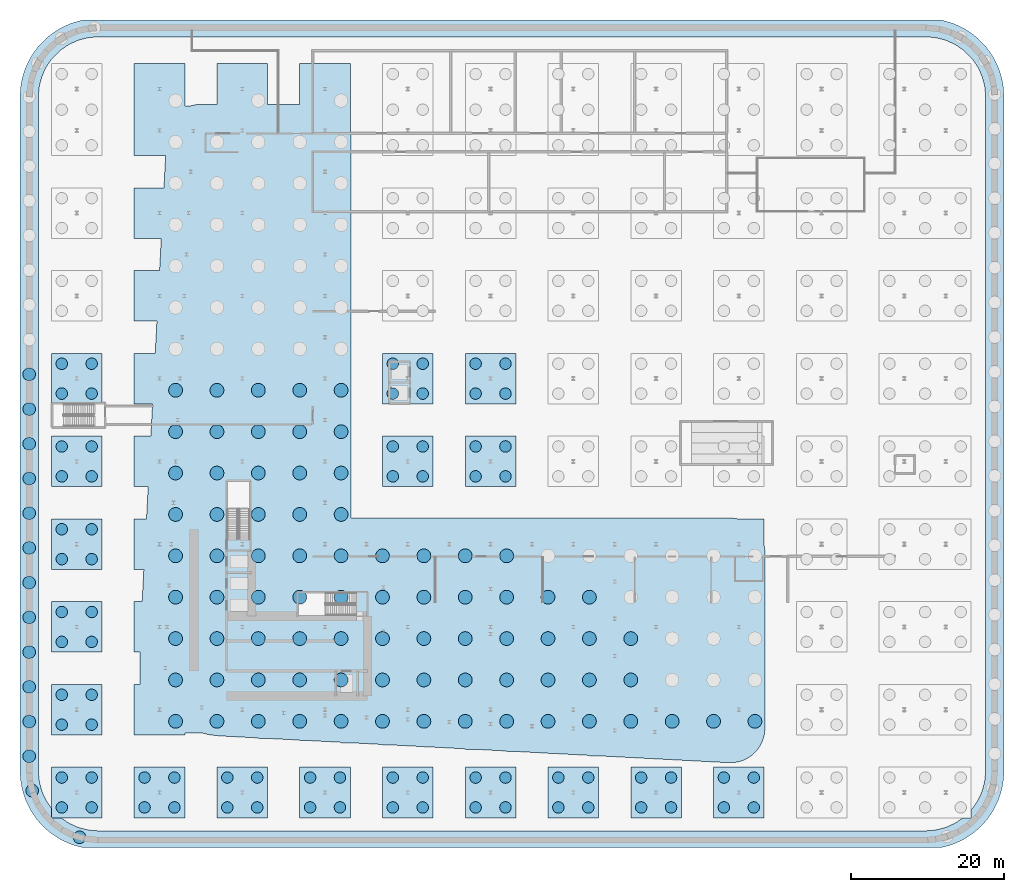
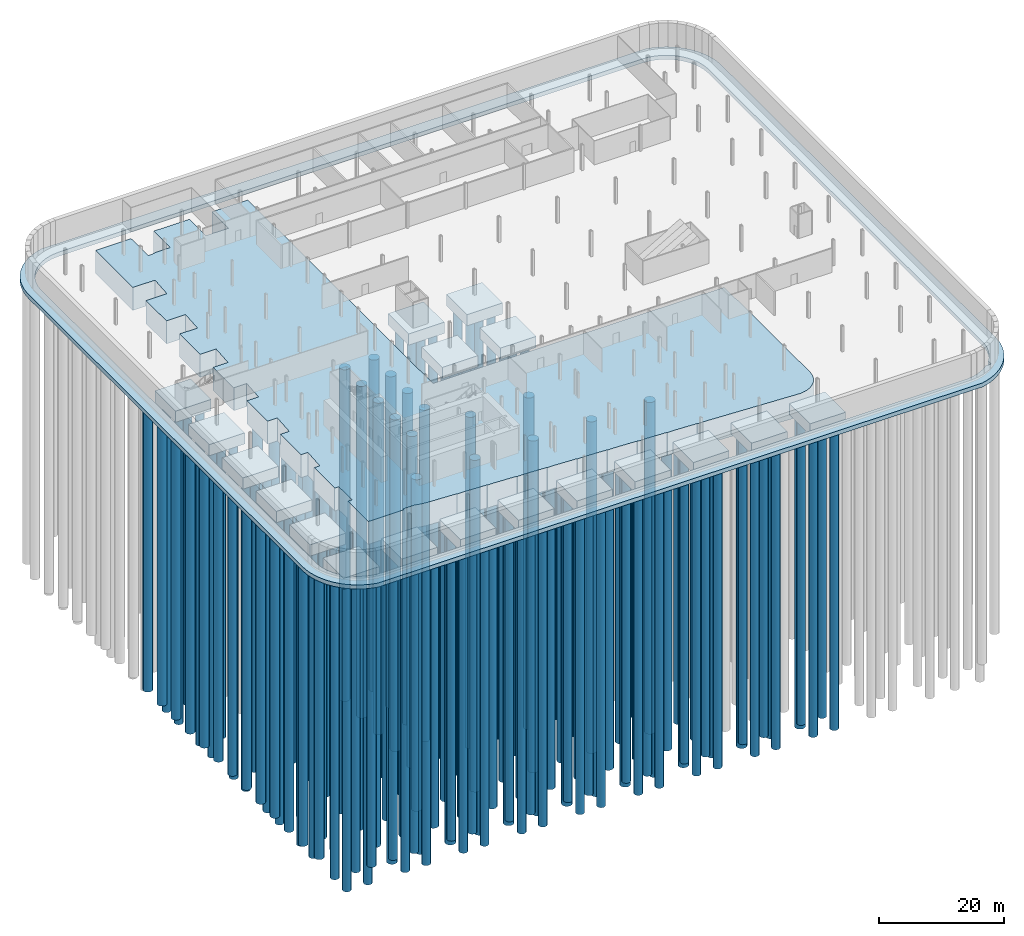
# One storey, part 1 of 23: 165 piles, 20 footings.
"""IFC4 building model written with IfcOpenShell, lengths in metres."""

from ifc_helpers import new_model, si_unit, direction, frame, origin, origin_2d, place, context, subcontext, project, spatial, polyline, rectangle, circle, outline, extrude, material, layer, layer_set, material_profile, profile_set, type_object, element, save


model = new_model("IFC4")

# Units and contexts
model_context = context("Model", 3, precision=1e-05, world=origin(), true_north=direction((0.0, 1.0)))
body_context = subcontext(model_context, "Body", "Model", "MODEL_VIEW")
ifc_project = project(units=[si_unit("LENGTHUNIT", "METRE"), si_unit("AREAUNIT", "SQUARE_METRE"), si_unit("VOLUMEUNIT", "CUBIC_METRE"), si_unit("PLANEANGLEUNIT", "RADIAN"), si_unit("MASSUNIT", "GRAM", prefix="KILO")], contexts=[model_context])

# Site, building, storey
site_placement = place(None, origin())
site = spatial("IfcSite", under=ifc_project, at=site_placement, CompositionType="ELEMENT")
building_placement = place(site_placement, origin())
building = spatial("IfcBuilding", under=site, at=building_placement, Name="Kheshtan School and Residences Tower", CompositionType="ELEMENT")
storey_placement = place(building_placement, frame((0.0, 0.0, -15.0)))
storey = spatial("IfcBuildingStorey", under=building, at=storey_placement, Name="B3", CompositionType="ELEMENT", Elevation=-15.0)

# Piles
ifc_material_1 = material(Name="Concrete C50/60", Category="concrete")
ifc_material_profile_1 = material_profile(ifc_material_1, circle(Radius=0.75, at=origin_2d()), Name="BP 1500")
ifc_profile_set_1 = profile_set([ifc_material_profile_1], Name="Concrete C50/60")
pile_type_1 = type_object("IfcPileType", Name="Bored pile 1500 Concrete C50/60", PredefinedType="BORED", material=ifc_profile_set_1)
for number, where, z_axis, x_axis, name in (
    (1, (56.449951171875, 11.25, -3.0), (0.0, 0.0, -1.0), (1.0, 0.0, 0.0), "Cap pile C001-1"),
    (2, (60.35009765625, 11.25, -3.0), (0.0, 0.0, -1.0), (1.0, 0.0, 0.0), "Cap pile C001-2"),
    (3, (56.449951171875, 15.14990234375, -3.0), (0.0, 0.0, -1.0), (1.0, 0.0, 0.0), "Cap pile C001-3"),
    (4, (60.35009765625, 15.14990234375, -3.0), (0.0, 0.0, -1.0), (1.0, 0.0, 0.0), "Cap pile C001-4"),
    (5, (45.64990234375, 11.25, -3.0), (0.0, 0.0, -1.0), (1.0, 0.0, 0.0), "Cap pile C002-1"),
    (6, (49.550048828125, 11.25, -3.0), (0.0, 0.0, -1.0), (1.0, 0.0, 0.0), "Cap pile C002-2"),
    (7, (45.64990234375, 15.14990234375, -3.0), (0.0, 0.0, -1.0), (1.0, 0.0, 0.0), "Cap pile C002-3"),
    (8, (49.550048828125, 15.14990234375, -3.0), (0.0, 0.0, -1.0), (1.0, 0.0, 0.0), "Cap pile C002-4"),
    (9, (34.85009765625, 11.25, -3.0), (0.0, 0.0, -1.0), (1.0, 0.0, 0.0), "Cap pile C003-1"),
    (10, (38.75, 11.25, -3.0), (0.0, 0.0, -1.0), (1.0, 0.0, 0.0), "Cap pile C003-2"),
    (11, (34.85009765625, 15.14990234375, -3.0), (0.0, 0.0, -1.0), (1.0, 0.0, 0.0), "Cap pile C003-3"),
    (12, (38.75, 15.14990234375, -3.0), (0.0, 0.0, -1.0), (1.0, 0.0, 0.0), "Cap pile C003-4"),
    (13, (24.050048828125, 11.25, -3.0), (0.0, 0.0, -1.0), (1.0, 0.0, 0.0), "Cap pile C004-1"),
    (14, (27.949951171875, 11.25, -3.0), (0.0, 0.0, -1.0), (1.0, 0.0, 0.0), "Cap pile C004-2"),
    (15, (24.050048828125, 15.14990234375, -3.0), (0.0, 0.0, -1.0), (1.0, 0.0, 0.0), "Cap pile C004-3"),
    (16, (27.949951171875, 15.14990234375, -3.0), (0.0, 0.0, -1.0), (1.0, 0.0, 0.0), "Cap pile C004-4"),
    (17, (13.25, 11.25, -3.0), (0.0, 0.0, -1.0), (1.0, 0.0, 0.0), "Cap pile C005-1"),
    (18, (17.14990234375, 11.25, -3.0), (0.0, 0.0, -1.0), (1.0, 0.0, 0.0), "Cap pile C005-2"),
    (19, (13.25, 15.14990234375, -3.0), (0.0, 0.0, -1.0), (1.0, 0.0, 0.0), "Cap pile C005-3"),
    (20, (17.14990234375, 15.14990234375, -3.0), (0.0, 0.0, -1.0), (1.0, 0.0, 0.0), "Cap pile C005-4"),
    (21, (13.25, 22.050048828125, -3.0), (0.0, 0.0, -1.0), (1.0, 0.0, 0.0), "Cap pile C006-1"),
    (22, (17.14990234375, 22.050048828125, -3.0), (0.0, 0.0, -1.0), (1.0, 0.0, 0.0), "Cap pile C006-2"),
    (23, (13.25, 25.949951171875, -3.0), (0.0, 0.0, -1.0), (1.0, 0.0, 0.0), "Cap pile C006-3"),
    (24, (17.14990234375, 25.949951171875, -3.0), (0.0, 0.0, -1.0), (1.0, 0.0, 0.0), "Cap pile C006-4"),
    (25, (13.25, 32.85009765625, -3.0), (0.0, 0.0, -1.0), (1.0, 0.0, 0.0), "Cap pile C007-1"),
    (26, (17.14990234375, 32.85009765625, -3.0), (0.0, 0.0, -1.0), (1.0, 0.0, 0.0), "Cap pile C007-2"),
    (27, (13.25, 36.75, -3.0), (0.0, 0.0, -1.0), (1.0, 0.0, 0.0), "Cap pile C007-3"),
    (28, (17.14990234375, 36.75, -3.0), (0.0, 0.0, -1.0), (1.0, 0.0, 0.0), "Cap pile C007-4"),
    (29, (13.25, 43.64990234375, -3.0), (0.0, 0.0, -1.0), (1.0, 0.0, 0.0), "Cap pile C008-1"),
    (30, (17.14990234375, 43.64990234375, -3.0), (0.0, 0.0, -1.0), (1.0, 0.0, 0.0), "Cap pile C008-2"),
    (31, (13.25, 47.550048828125, -3.0), (0.0, 0.0, -1.0), (1.0, 0.0, 0.0), "Cap pile C008-3"),
    (32, (17.14990234375, 47.550048828125, -3.0), (0.0, 0.0, -1.0), (1.0, 0.0, 0.0), "Cap pile C008-4"),
    (33, (67.25, 54.449951171875, -3.0), (0.0, 0.0, -1.0), (1.0, 0.0, 0.0), "Cap pile C009-1"),
    (34, (71.14990234375, 54.449951171875, -3.0), (0.0, 0.0, -1.0), (1.0, 0.0, 0.0), "Cap pile C009-2"),
    (35, (67.25, 58.35009765625, -3.0), (0.0, 0.0, -1.0), (1.0, 0.0, 0.0), "Cap pile C009-3"),
    (36, (71.14990234375, 58.35009765625, -3.0), (0.0, 0.0, -1.0), (1.0, 0.0, 0.0), "Cap pile C009-4"),
    (37, (56.449951171875, 54.449951171875, -3.0), (0.0, 0.0, -1.0), (1.0, 0.0, 0.0), "Cap pile C010-1"),
    (38, (60.35009765625, 54.449951171875, -3.0), (0.0, 0.0, -1.0), (1.0, 0.0, 0.0), "Cap pile C010-2"),
    (39, (56.449951171875, 58.35009765625, -3.0), (0.0, 0.0, -1.0), (1.0, 0.0, 0.0), "Cap pile C010-3"),
    (40, (60.35009765625, 58.35009765625, -3.0), (0.0, 0.0, -1.0), (1.0, 0.0, 0.0), "Cap pile C010-4"),
    (41, (13.25, 54.449951171875, -3.0), (0.0, 0.0, -1.0), (1.0, 0.0, 0.0), "Cap pile C011-1"),
    (42, (17.14990234375, 54.449951171875, -3.0), (0.0, 0.0, -1.0), (1.0, 0.0, 0.0), "Cap pile C011-2"),
    (43, (13.25, 58.35009765625, -3.0), (0.0, 0.0, -1.0), (1.0, 0.0, 0.0), "Cap pile C011-3"),
    (44, (17.14990234375, 58.35009765625, -3.0), (0.0, 0.0, -1.0), (1.0, 0.0, 0.0), "Cap pile C011-4"),
    (45, (56.449951171875, 65.25, -3.0), (0.0, 0.0, -1.0), (1.0, 0.0, 0.0), "Cap pile C012-1"),
    (46, (60.35009765625, 65.25, -3.0), (0.0, 0.0, -1.0), (1.0, 0.0, 0.0), "Cap pile C012-2"),
    (47, (56.449951171875, 69.14990234375, -3.0), (0.0, 0.0, -1.0), (1.0, 0.0, 0.0), "Cap pile C012-3"),
    (48, (60.35009765625, 69.14990234375, -3.0), (0.0, 0.0, -1.0), (1.0, 0.0, 0.0), "Cap pile C012-4"),
    (49, (13.25, 65.25, -3.0), (0.0, 0.0, -1.0), (1.0, 0.0, 0.0), "Cap pile C013-1"),
    (50, (17.14990234375, 65.25, -3.0), (0.0, 0.0, -1.0), (1.0, 0.0, 0.0), "Cap pile C013-2"),
    (51, (13.25, 69.14990234375, -3.0), (0.0, 0.0, -1.0), (1.0, 0.0, 0.0), "Cap pile C013-3"),
    (52, (17.14990234375, 69.14990234375, -3.0), (0.0, 0.0, -1.0), (1.0, 0.0, 0.0), "Cap pile C013-4"),
    (53, (67.25, 65.25, -3.0), (0.0, 0.0, -1.0), (1.0, 0.0, 0.0), "Cap pile C014-1"),
    (54, (71.14990234375, 65.25, -3.0), (0.0, 0.0, -1.0), (1.0, 0.0, 0.0), "Cap pile C014-2"),
    (55, (67.25, 69.14990234375, -3.0), (0.0, 0.0, -1.0), (1.0, 0.0, 0.0), "Cap pile C014-3"),
    (56, (71.14990234375, 69.14990234375, -3.0), (0.0, 0.0, -1.0), (1.0, 0.0, 0.0), "Cap pile C014-4"),
    (57, (78.050048828125, 11.25, -3.0), (0.0, 0.0, -1.0), (1.0, 0.0, 0.0), "Cap pile C024-1"),
    (58, (81.949951171875, 11.25, -3.0), (0.0, 0.0, -1.0), (1.0, 0.0, 0.0), "Cap pile C024-2"),
    (59, (78.050048828125, 15.14990234375, -3.0), (0.0, 0.0, -1.0), (1.0, 0.0, 0.0), "Cap pile C024-3"),
    (60, (81.949951171875, 15.14990234375, -3.0), (0.0, 0.0, -1.0), (1.0, 0.0, 0.0), "Cap pile C024-4"),
    (61, (99.64990234375, 11.25, -3.0), (0.0, 0.0, -1.0), (1.0, 0.0, 0.0), "Cap pile C025-1"),
    (62, (103.550048828125, 11.25, -3.0), (0.0, 0.0, -1.0), (1.0, 0.0, 0.0), "Cap pile C025-2"),
    (63, (99.64990234375, 15.14990234375, -3.0), (0.0, 0.0, -1.0), (1.0, 0.0, 0.0), "Cap pile C025-3"),
    (64, (103.550048828125, 15.14990234375, -3.0), (0.0, 0.0, -1.0), (1.0, 0.0, 0.0), "Cap pile C025-4"),
    (65, (88.85009765625, 11.25, -3.0), (0.0, 0.0, -1.0), (1.0, 0.0, 0.0), "Cap pile C026-1"),
    (66, (92.75, 11.25, -3.0), (0.0, 0.0, -1.0), (1.0, 0.0, 0.0), "Cap pile C026-2"),
    (67, (88.85009765625, 15.14990234375, -3.0), (0.0, 0.0, -1.0), (1.0, 0.0, 0.0), "Cap pile C026-3"),
    (68, (92.75, 15.14990234375, -3.0), (0.0, 0.0, -1.0), (1.0, 0.0, 0.0), "Cap pile C026-4"),
    (69, (67.25, 11.25, -3.0), (0.0, 0.0, -1.0), (1.0, 0.0, 0.0), "Cap pile C027-1"),
    (70, (71.14990234375, 11.25, -3.0), (0.0, 0.0, -1.0), (1.0, 0.0, 0.0), "Cap pile C027-2"),
    (71, (67.25, 15.14990234375, -3.0), (0.0, 0.0, -1.0), (1.0, 0.0, 0.0), "Cap pile C027-3"),
    (72, (71.14990234375, 15.14990234375, -3.0), (0.0, 0.0, -1.0), (1.0, 0.0, 0.0), "Cap pile C027-4"),
):
    element("IfcPile", number, at=place(storey_placement, frame(where, z_axis=z_axis, x_axis=x_axis)), inside=storey, type_object=pile_type_1, Name=name, PredefinedType="BORED", context=body_context, shape_type="SweptSolid", body=[
        extrude(circle(Radius=0.75, at=origin_2d()), origin(), (0.0, 0.0, 1.0), 60.0),
    ])
ifc_material_profile_2 = material_profile(ifc_material_1, circle(Radius=0.824951171875, at=origin_2d()), Name="BP 1650")
ifc_profile_set_2 = profile_set([ifc_material_profile_2], Name="Concrete C50/60")
pile_type_2 = type_object("IfcPileType", Name="Bored pile 1650 Concrete C50/60", PredefinedType="BORED", material=ifc_profile_set_2)
for number, where, z_axis, x_axis, name in (
    (73, (15.57568359375, 7.35546875, -1.60009765625), (0.0, 0.0, -1.0), (1.0, 0.0, 0.0), "Wall pile W1-077"),
    (74, (9.392822265625, 13.436279296875, -1.60009765625), (0.0, 0.0, -1.0), (1.0, 0.0, 0.0), "Wall pile W1-079"),
    (75, (9.0, 17.927978515625, -1.60009765625), (0.0, 0.0, -1.0), (1.0, 0.0, 0.0), "Wall pile W1-080"),
    (76, (9.0, 22.4580078125, -1.60009765625), (0.0, 0.0, -1.0), (1.0, 0.0, 0.0), "Wall pile W1-081"),
    (77, (9.0, 26.98828125, -1.60009765625), (0.0, 0.0, -1.0), (1.0, 0.0, 0.0), "Wall pile W1-082"),
    (78, (9.0, 31.518310546875, -1.60009765625), (0.0, 0.0, -1.0), (1.0, 0.0, 0.0), "Wall pile W1-083"),
    (79, (9.0, 36.04833984375, -1.60009765625), (0.0, 0.0, -1.0), (1.0, 0.0, 0.0), "Wall pile W1-084"),
    (80, (9.0, 40.57861328125, -1.60009765625), (0.0, 0.0, -1.0), (1.0, 0.0, 0.0), "Wall pile W1-085"),
    (81, (9.0, 45.108642578125, -1.60009765625), (0.0, 0.0, -1.0), (1.0, 0.0, 0.0), "Wall pile W1-086"),
    (82, (9.0, 49.638916015625, -1.60009765625), (0.0, 0.0, -1.0), (1.0, 0.0, 0.0), "Wall pile W1-087"),
    (83, (9.0, 54.1689453125, -1.60009765625), (0.0, 0.0, -1.0), (1.0, 0.0, 0.0), "Wall pile W1-088"),
    (84, (9.0, 58.698974609375, -1.60009765625), (0.0, 0.0, -1.0), (1.0, 0.0, 0.0), "Wall pile W1-089"),
    (85, (9.0, 63.22900390625, -1.60009765625), (0.0, 0.0, -1.0), (1.0, 0.0, 0.0), "Wall pile W1-090"),
    (86, (9.0, 67.75927734375, -1.60009765625), (0.0, 0.0, -1.0), (1.0, 0.0, 0.0), "Wall pile W1-091"),
):
    element("IfcPile", number, at=place(storey_placement, frame(where, z_axis=z_axis, x_axis=x_axis)), inside=storey, type_object=pile_type_2, Name=name, PredefinedType="BORED", context=body_context, shape_type="SweptSolid", body=[
        extrude(circle(Radius=0.824951171875, at=origin_2d()), origin(), (0.0, 0.0, 1.0), 55.0),
    ])
ifc_material_profile_3 = material_profile(ifc_material_1, circle(Radius=0.89990234375, at=origin_2d()), Name="BP 1800")
ifc_profile_set_3 = profile_set([ifc_material_profile_3], Name="Concrete C50/60")
pile_type_3 = type_object("IfcPileType", Name="Bored pile 1800 Concrete C50/60", PredefinedType="BORED", material=ifc_profile_set_3)
for number, where, z_axis, x_axis, name in (
    (87, (28.10009765625, 22.48193359375, -4.5), (0.0, 0.0, -1.0), (1.0, 0.0, 0.0), "Raft pile R001"),
    (88, (33.5, 22.48193359375, -4.5), (0.0, 0.0, -1.0), (1.0, 0.0, 0.0), "Raft pile R002"),
    (89, (38.89990234375, 22.48193359375, -4.5), (0.0, 0.0, -1.0), (1.0, 0.0, 0.0), "Raft pile R003"),
    (90, (44.300048828125, 22.48193359375, -4.5), (0.0, 0.0, -1.0), (1.0, 0.0, 0.0), "Raft pile R004"),
    (91, (49.699951171875, 22.48193359375, -4.5), (0.0, 0.0, -1.0), (1.0, 0.0, 0.0), "Raft pile R005"),
    (92, (55.10009765625, 22.48193359375, -4.5), (0.0, 0.0, -1.0), (1.0, 0.0, 0.0), "Raft pile R006"),
    (93, (60.5, 22.48193359375, -4.5), (0.0, 0.0, -1.0), (1.0, 0.0, 0.0), "Raft pile R007"),
    (94, (65.89990234375, 22.48193359375, -4.5), (0.0, 0.0, -1.0), (1.0, 0.0, 0.0), "Raft pile R008"),
    (95, (71.300048828125, 22.48193359375, -4.5), (0.0, 0.0, -1.0), (1.0, 0.0, 0.0), "Raft pile R009"),
    (96, (76.699951171875, 22.48193359375, -4.5), (0.0, 0.0, -1.0), (1.0, 0.0, 0.0), "Raft pile R010"),
    (97, (82.10009765625, 22.48193359375, -4.5), (0.0, 0.0, -1.0), (1.0, 0.0, 0.0), "Raft pile R011"),
    (98, (87.5, 22.48193359375, -4.5), (0.0, 0.0, -1.0), (1.0, 0.0, 0.0), "Raft pile R012"),
    (99, (92.89990234375, 22.48193359375, -4.5), (0.0, 0.0, -1.0), (1.0, 0.0, 0.0), "Raft pile R013"),
    (100, (98.300048828125, 22.48193359375, -4.5), (0.0, 0.0, -1.0), (1.0, 0.0, 0.0), "Raft pile R014"),
    (101, (103.699951171875, 22.48193359375, -4.5), (0.0, 0.0, -1.0), (1.0, 0.0, 0.0), "Raft pile R015"),
    (102, (28.10009765625, 27.882080078125, -4.5), (0.0, 0.0, -1.0), (1.0, 0.0, 0.0), "Raft pile R016"),
    (103, (33.5, 27.882080078125, -4.5), (0.0, 0.0, -1.0), (1.0, 0.0, 0.0), "Raft pile R017"),
    (104, (38.89990234375, 27.882080078125, -4.5), (0.0, 0.0, -1.0), (1.0, 0.0, 0.0), "Raft pile R018"),
    (105, (44.300048828125, 27.882080078125, -4.5), (0.0, 0.0, -1.0), (1.0, 0.0, 0.0), "Raft pile R019"),
    (106, (49.699951171875, 27.882080078125, -4.5), (0.0, 0.0, -1.0), (1.0, 0.0, 0.0), "Raft pile R020"),
    (107, (55.10009765625, 27.882080078125, -4.5), (0.0, 0.0, -1.0), (1.0, 0.0, 0.0), "Raft pile R021"),
    (108, (60.5, 27.882080078125, -4.5), (0.0, 0.0, -1.0), (1.0, 0.0, 0.0), "Raft pile R022"),
    (109, (65.89990234375, 27.882080078125, -4.5), (0.0, 0.0, -1.0), (1.0, 0.0, 0.0), "Raft pile R023"),
    (110, (71.300048828125, 27.882080078125, -4.5), (0.0, 0.0, -1.0), (1.0, 0.0, 0.0), "Raft pile R024"),
    (111, (76.699951171875, 27.882080078125, -4.5), (0.0, 0.0, -1.0), (1.0, 0.0, 0.0), "Raft pile R025"),
    (112, (82.10009765625, 27.882080078125, -4.5), (0.0, 0.0, -1.0), (1.0, 0.0, 0.0), "Raft pile R026"),
    (113, (87.5, 27.882080078125, -4.5), (0.0, 0.0, -1.0), (1.0, 0.0, 0.0), "Raft pile R027"),
    (114, (28.10009765625, 33.281982421875, -4.5), (0.0, 0.0, -1.0), (1.0, 0.0, 0.0), "Raft pile R031"),
    (115, (33.5, 33.281982421875, -4.5), (0.0, 0.0, -1.0), (1.0, 0.0, 0.0), "Raft pile R032"),
    (116, (38.89990234375, 33.281982421875, -4.5), (0.0, 0.0, -1.0), (1.0, 0.0, 0.0), "Raft pile R033"),
    (117, (44.300048828125, 33.281982421875, -4.5), (0.0, 0.0, -1.0), (1.0, 0.0, 0.0), "Raft pile R034"),
    (118, (49.699951171875, 33.281982421875, -4.5), (0.0, 0.0, -1.0), (1.0, 0.0, 0.0), "Raft pile R035"),
    (119, (55.10009765625, 33.281982421875, -4.5), (0.0, 0.0, -1.0), (1.0, 0.0, 0.0), "Raft pile R036"),
    (120, (60.5, 33.281982421875, -4.5), (0.0, 0.0, -1.0), (1.0, 0.0, 0.0), "Raft pile R037"),
    (121, (65.89990234375, 33.281982421875, -4.5), (0.0, 0.0, -1.0), (1.0, 0.0, 0.0), "Raft pile R038"),
    (122, (71.300048828125, 33.281982421875, -4.5), (0.0, 0.0, -1.0), (1.0, 0.0, 0.0), "Raft pile R039"),
    (123, (76.699951171875, 33.281982421875, -4.5), (0.0, 0.0, -1.0), (1.0, 0.0, 0.0), "Raft pile R040"),
    (124, (82.10009765625, 33.281982421875, -4.5), (0.0, 0.0, -1.0), (1.0, 0.0, 0.0), "Raft pile R041"),
    (125, (87.5, 33.281982421875, -4.5), (0.0, 0.0, -1.0), (1.0, 0.0, 0.0), "Raft pile R042"),
    (126, (28.10009765625, 38.681884765625, -4.5), (0.0, 0.0, -1.0), (1.0, 0.0, 0.0), "Raft pile R046"),
    (127, (33.5, 38.681884765625, -4.5), (0.0, 0.0, -1.0), (1.0, 0.0, 0.0), "Raft pile R047"),
    (128, (38.89990234375, 38.681884765625, -4.5), (0.0, 0.0, -1.0), (1.0, 0.0, 0.0), "Raft pile R048"),
    (129, (44.300048828125, 38.681884765625, -4.5), (0.0, 0.0, -1.0), (1.0, 0.0, 0.0), "Raft pile R049"),
    (130, (49.699951171875, 38.681884765625, -4.5), (0.0, 0.0, -1.0), (1.0, 0.0, 0.0), "Raft pile R050"),
    (131, (55.10009765625, 38.681884765625, -4.5), (0.0, 0.0, -1.0), (1.0, 0.0, 0.0), "Raft pile R051"),
    (132, (60.5, 38.681884765625, -4.5), (0.0, 0.0, -1.0), (1.0, 0.0, 0.0), "Raft pile R052"),
    (133, (65.89990234375, 38.681884765625, -4.5), (0.0, 0.0, -1.0), (1.0, 0.0, 0.0), "Raft pile R053"),
    (134, (71.300048828125, 38.681884765625, -4.5), (0.0, 0.0, -1.0), (1.0, 0.0, 0.0), "Raft pile R054"),
    (135, (76.699951171875, 38.681884765625, -4.5), (0.0, 0.0, -1.0), (1.0, 0.0, 0.0), "Raft pile R055"),
    (136, (82.10009765625, 38.681884765625, -4.5), (0.0, 0.0, -1.0), (1.0, 0.0, 0.0), "Raft pile R056"),
    (137, (28.10009765625, 44.08203125, -4.5), (0.0, 0.0, -1.0), (1.0, 0.0, 0.0), "Raft pile R061"),
    (138, (33.5, 44.08203125, -4.5), (0.0, 0.0, -1.0), (1.0, 0.0, 0.0), "Raft pile R062"),
    (139, (38.89990234375, 44.08203125, -4.5), (0.0, 0.0, -1.0), (1.0, 0.0, 0.0), "Raft pile R063"),
    (140, (44.300048828125, 44.08203125, -4.5), (0.0, 0.0, -1.0), (1.0, 0.0, 0.0), "Raft pile R064"),
    (141, (49.699951171875, 44.08203125, -4.5), (0.0, 0.0, -1.0), (1.0, 0.0, 0.0), "Raft pile R065"),
    (142, (55.10009765625, 44.08203125, -4.5), (0.0, 0.0, -1.0), (1.0, 0.0, 0.0), "Raft pile R066"),
    (143, (60.5, 44.08203125, -4.5), (0.0, 0.0, -1.0), (1.0, 0.0, 0.0), "Raft pile R067"),
    (144, (65.89990234375, 44.08203125, -4.5), (0.0, 0.0, -1.0), (1.0, 0.0, 0.0), "Raft pile R068"),
    (145, (71.300048828125, 44.08203125, -4.5), (0.0, 0.0, -1.0), (1.0, 0.0, 0.0), "Raft pile R069"),
    (146, (28.10009765625, 49.48193359375, -4.5), (0.0, 0.0, -1.0), (1.0, 0.0, 0.0), "Raft pile R076"),
    (147, (33.5, 49.48193359375, -4.5), (0.0, 0.0, -1.0), (1.0, 0.0, 0.0), "Raft pile R077"),
    (148, (38.89990234375, 49.48193359375, -4.5), (0.0, 0.0, -1.0), (1.0, 0.0, 0.0), "Raft pile R078"),
    (149, (44.300048828125, 49.48193359375, -4.5), (0.0, 0.0, -1.0), (1.0, 0.0, 0.0), "Raft pile R079"),
    (150, (49.699951171875, 49.48193359375, -4.5), (0.0, 0.0, -1.0), (1.0, 0.0, 0.0), "Raft pile R080"),
    (151, (28.10009765625, 54.882080078125, -4.5), (0.0, 0.0, -1.0), (1.0, 0.0, 0.0), "Raft pile R081"),
    (152, (33.5, 54.882080078125, -4.5), (0.0, 0.0, -1.0), (1.0, 0.0, 0.0), "Raft pile R082"),
    (153, (38.89990234375, 54.882080078125, -4.5), (0.0, 0.0, -1.0), (1.0, 0.0, 0.0), "Raft pile R083"),
    (154, (44.300048828125, 54.882080078125, -4.5), (0.0, 0.0, -1.0), (1.0, 0.0, 0.0), "Raft pile R084"),
    (155, (49.699951171875, 54.882080078125, -4.5), (0.0, 0.0, -1.0), (1.0, 0.0, 0.0), "Raft pile R085"),
    (156, (28.10009765625, 60.281982421875, -4.5), (0.0, 0.0, -1.0), (1.0, 0.0, 0.0), "Raft pile R086"),
    (157, (33.5, 60.281982421875, -4.5), (0.0, 0.0, -1.0), (1.0, 0.0, 0.0), "Raft pile R087"),
    (158, (38.89990234375, 60.281982421875, -4.5), (0.0, 0.0, -1.0), (1.0, 0.0, 0.0), "Raft pile R088"),
    (159, (44.300048828125, 60.281982421875, -4.5), (0.0, 0.0, -1.0), (1.0, 0.0, 0.0), "Raft pile R089"),
    (160, (49.699951171875, 60.281982421875, -4.5), (0.0, 0.0, -1.0), (1.0, 0.0, 0.0), "Raft pile R090"),
    (161, (28.10009765625, 65.681884765625, -4.5), (0.0, 0.0, -1.0), (1.0, 0.0, 0.0), "Raft pile R091"),
    (162, (33.5, 65.681884765625, -4.5), (0.0, 0.0, -1.0), (1.0, 0.0, 0.0), "Raft pile R092"),
    (163, (38.89990234375, 65.681884765625, -4.5), (0.0, 0.0, -1.0), (1.0, 0.0, 0.0), "Raft pile R093"),
    (164, (44.300048828125, 65.681884765625, -4.5), (0.0, 0.0, -1.0), (1.0, 0.0, 0.0), "Raft pile R094"),
    (165, (49.699951171875, 65.681884765625, -4.5), (0.0, 0.0, -1.0), (1.0, 0.0, 0.0), "Raft pile R095"),
):
    element("IfcPile", number, at=place(storey_placement, frame(where, z_axis=z_axis, x_axis=x_axis)), inside=storey, type_object=pile_type_3, Name=name, PredefinedType="BORED", context=body_context, shape_type="SweptSolid", body=[
        extrude(circle(Radius=0.89990234375, at=origin_2d()), origin(), (0.0, 0.0, 1.0), 65.0),
    ])

# Footings
ifc_material_2 = material(Name="Concrete C40/50", Category="concrete")
footing_type_1 = type_object("IfcFootingType", Name="Pile cap 6600 x 6600 x 2200 Concrete C40/50", PredefinedType="PILE_CAP", material=ifc_material_2)
for number, where, z_axis, x_axis, name in (
    (166, (58.39990234375, 13.199951171875, -3.0), (0.0, 0.0, 1.0), (1.0, 0.0, 0.0), "Pile cap 001"),
    (167, (47.60009765625, 13.199951171875, -3.0), (0.0, 0.0, 1.0), (1.0, 0.0, 0.0), "Pile cap 002"),
    (168, (36.800048828125, 13.199951171875, -3.0), (0.0, 0.0, 1.0), (1.0, 0.0, 0.0), "Pile cap 003"),
    (169, (26.0, 13.199951171875, -3.0), (0.0, 0.0, 1.0), (1.0, 0.0, 0.0), "Pile cap 004"),
    (170, (15.199951171875, 13.199951171875, -3.0), (0.0, 0.0, 1.0), (1.0, 0.0, 0.0), "Pile cap 005"),
    (171, (15.199951171875, 24.0, -3.0), (0.0, 0.0, 1.0), (1.0, 0.0, 0.0), "Pile cap 006"),
    (172, (15.199951171875, 34.800048828125, -3.0), (0.0, 0.0, 1.0), (1.0, 0.0, 0.0), "Pile cap 007"),
    (173, (15.199951171875, 45.60009765625, -3.0), (0.0, 0.0, 1.0), (1.0, 0.0, 0.0), "Pile cap 008"),
    (174, (69.199951171875, 56.39990234375, -3.0), (0.0, 0.0, 1.0), (1.0, 0.0, 0.0), "Pile cap 009"),
    (175, (58.39990234375, 56.39990234375, -3.0), (0.0, 0.0, 1.0), (1.0, 0.0, 0.0), "Pile cap 010"),
    (176, (15.199951171875, 56.39990234375, -3.0), (0.0, 0.0, 1.0), (1.0, 0.0, 0.0), "Pile cap 011"),
    (177, (58.39990234375, 67.199951171875, -3.0), (0.0, 0.0, 1.0), (1.0, 0.0, 0.0), "Pile cap 012"),
    (178, (15.199951171875, 67.199951171875, -3.0), (0.0, 0.0, 1.0), (1.0, 0.0, 0.0), "Pile cap 013"),
    (179, (69.199951171875, 67.199951171875, -3.0), (0.0, 0.0, 1.0), (1.0, 0.0, 0.0), "Pile cap 014"),
    (180, (80.0, 13.199951171875, -3.0), (0.0, 0.0, 1.0), (1.0, 0.0, 0.0), "Pile cap 024"),
    (181, (101.60009765625, 13.199951171875, -3.0), (0.0, 0.0, 1.0), (1.0, 0.0, 0.0), "Pile cap 025"),
    (182, (90.800048828125, 13.199951171875, -3.0), (0.0, 0.0, 1.0), (1.0, 0.0, 0.0), "Pile cap 026"),
    (183, (69.199951171875, 13.199951171875, -3.0), (0.0, 0.0, 1.0), (1.0, 0.0, 0.0), "Pile cap 027"),
):
    element("IfcFooting", number, at=place(storey_placement, frame(where, z_axis=z_axis, x_axis=x_axis)), inside=storey, type_object=footing_type_1, Name=name, PredefinedType="PILE_CAP", context=body_context, shape_type="SweptSolid", body=[
        extrude(rectangle(XDim=6.60009765625, YDim=6.60009765625, at=origin_2d()), origin(), (0.0, 0.0, 1.0), 2.199951171875),
    ])
ifc_layer = layer(ifc_material_1, 4.5)
ifc_layer_set = layer_set([ifc_layer], Name="Piled raft 4500 Concrete C50/60")
footing_type_2 = type_object("IfcFootingType", Name="Piled raft 4500 Concrete C50/60", PredefinedType="PILE_CAP", material=ifc_layer_set)
footing_1_placement = place(storey_placement, frame((0.0, 0.0, -4.5)))
element("IfcFooting", 184, at=footing_1_placement, inside=storey, type_object=footing_type_2, Name="Piled raft", PredefinedType="PILE_CAP", context=body_context, shape_type="SweptSolid", body=[
    extrude(outline(polyline([(104.89990234375, 48.89990234375), (104.89990234375, 45.431640625), (104.968017578125, 45.087890625), (105.0, 44.59912109375), (105.0, 21.47705078125), (104.965087890625, 20.970947265625), (104.843017578125, 20.376953125), (104.64306640625, 19.80810546875), (104.364990234375, 19.261962890625), (104.010986328125, 18.7548828125), (103.596923828125, 18.30810546875), (103.136962890625, 17.927001953125), (102.616943359375, 17.60107421875), (102.052001953125, 17.35009765625), (101.47705078125, 17.181884765625), (100.876953125, 17.089111328125), (100.364013671875, 17.08203125), (83.492919921875, 17.969970703125), (82.10009765625, 17.969970703125), (82.10009765625, 18.043212890625), (77.98291015625, 18.260009765625), (76.699951171875, 18.260009765625), (76.699951171875, 18.327392578125), (72.6630859375, 18.5400390625), (71.300048828125, 18.5400390625), (71.300048828125, 18.61181640625), (67.153564453125, 18.830078125), (65.89990234375, 18.830078125), (65.89990234375, 18.89599609375), (61.833740234375, 19.110107421875), (60.5, 19.110107421875), (60.5, 19.18017578125), (56.323974609375, 19.39990234375), (55.10009765625, 19.39990234375), (55.10009765625, 19.46435546875), (51.004150390625, 19.679931640625), (49.699951171875, 19.679931640625), (49.699951171875, 19.74853515625), (45.6845703125, 19.9599609375), (44.300048828125, 19.9599609375), (44.300048828125, 20.032958984375), (40.1748046875, 20.25), (38.89990234375, 20.25), (38.89990234375, 20.317138671875), (33.73388671875, 20.589111328125), (32.40087890625, 20.7470703125), (31.524658203125, 20.969970703125), (29.300048828125, 20.969970703125), (29.300048828125, 20.699951171875), (22.699951171875, 20.699951171875), (22.699951171875, 27.300048828125), (23.4599609375, 27.300048828125), (23.4599609375, 30.5478515625), (23.43701171875, 30.70703125), (23.426513671875, 31.5), (22.699951171875, 31.5), (22.699951171875, 38.10009765625), (23.737548828125, 38.10009765625), (23.949951171875, 42.13525390625), (23.949951171875, 42.300048828125), (22.699951171875, 42.300048828125), (22.699951171875, 48.89990234375), (24.30615234375, 48.89990234375), (24.52001953125, 52.963134765625), (24.52001953125, 53.10009765625), (22.699951171875, 53.10009765625), (22.699951171875, 59.699951171875), (24.87451171875, 59.699951171875), (25.090087890625, 63.791259765625), (25.090087890625, 63.89990234375), (22.699951171875, 63.89990234375), (22.699951171875, 70.5), (25.443115234375, 70.5), (25.659912109375, 74.619384765625), (25.659912109375, 74.699951171875), (22.699951171875, 74.699951171875), (22.699951171875, 81.300048828125), (26.01171875, 81.300048828125), (26.22998046875, 85.447509765625), (26.22998046875, 85.5), (22.699951171875, 85.5), (22.699951171875, 92.10009765625), (26.580078125, 92.10009765625), (26.7900390625, 96.08544921875), (26.7900390625, 96.300048828125), (22.699951171875, 96.300048828125), (22.699951171875, 101.699951171875), (22.699951171875, 102.89990234375), (22.699951171875, 108.300048828125), (29.300048828125, 108.300048828125), (29.300048828125, 102.89990234375), (29.300048828125, 102.81005859375), (30.120849609375, 102.81005859375), (30.18994140625, 102.8349609375), (30.802001953125, 102.965087890625), (31.321044921875, 103.0), (33.5, 103.0), (33.5, 108.300048828125), (40.10009765625, 108.300048828125), (40.10009765625, 103.0), (44.300048828125, 103.0), (44.300048828125, 108.300048828125), (50.89990234375, 108.300048828125), (50.89990234375, 102.89990234375), (50.89990234375, 101.699951171875), (50.89990234375, 99.431640625), (50.968017578125, 99.087890625), (51.0, 98.59912109375), (51.0, 49.0), (100.59912109375, 49.0), (101.087890625, 48.968017578125), (101.431640625, 48.89990234375), (104.89990234375, 48.89990234375)])), origin(), (0.0, 0.0, 1.0), 4.5),
])
footing_type_3 = type_object("IfcFootingType", Name="Wall strip footing 2400 x 800 Concrete C40/50", PredefinedType="STRIP_FOOTING", material=ifc_material_2)
footing_2_placement = place(storey_placement, frame((0.0, 0.0, -1.60009765625)))
element("IfcFooting", 185, at=footing_2_placement, inside=storey, type_object=footing_type_3, Name="Wall strip footing 1", PredefinedType="STRIP_FOOTING", context=body_context, shape_type="SweptSolid", body=[
    extrude(outline(polyline([(8.02001953125, 106.0791015625), (8.319091796875, 107.19091796875), (8.532958984375, 107.780029296875), (9.01904296875, 108.822021484375), (9.3330078125, 109.365966796875), (9.993896484375, 110.31005859375), (10.39794921875, 110.7900390625), (11.2099609375, 111.60205078125), (11.68994140625, 112.006103515625), (12.634033203125, 112.6669921875), (13.177978515625, 112.98095703125), (14.219970703125, 113.467041015625), (14.80908203125, 113.680908203125), (15.9208984375, 113.97998046875), (16.034912109375, 114.0), (127.965087890625, 114.0), (128.0791015625, 113.97998046875), (129.19091796875, 113.680908203125), (129.780029296875, 113.467041015625), (130.822021484375, 112.98095703125), (131.365966796875, 112.6669921875), (132.31005859375, 112.006103515625), (132.7900390625, 111.60205078125), (133.60205078125, 110.7900390625), (134.006103515625, 110.31005859375), (134.6669921875, 109.365966796875), (134.98095703125, 108.822021484375), (135.467041015625, 107.780029296875), (135.680908203125, 107.19091796875), (135.97998046875, 106.0791015625), (136.089111328125, 105.4599609375), (136.18701171875, 104.339111328125), (136.199951171875, 104.02490234375), (136.199951171875, 15.97509765625), (136.18701171875, 15.660888671875), (136.089111328125, 14.5400390625), (135.97998046875, 13.9208984375), (135.680908203125, 12.80908203125), (135.467041015625, 12.219970703125), (134.98095703125, 11.177978515625), (134.6669921875, 10.634033203125), (134.006103515625, 9.68994140625), (133.60205078125, 9.2099609375), (132.7900390625, 8.39794921875), (132.31005859375, 7.993896484375), (131.365966796875, 7.3330078125), (130.822021484375, 7.01904296875), (129.780029296875, 6.532958984375), (129.19091796875, 6.319091796875), (128.0791015625, 6.02001953125), (127.965087890625, 6.0), (16.034912109375, 6.0), (15.9208984375, 6.02001953125), (14.80908203125, 6.319091796875), (14.219970703125, 6.532958984375), (13.177978515625, 7.01904296875), (12.634033203125, 7.3330078125), (11.68994140625, 7.993896484375), (11.2099609375, 8.39794921875), (10.39794921875, 9.2099609375), (9.993896484375, 9.68994140625), (9.3330078125, 10.634033203125), (9.01904296875, 11.177978515625), (8.532958984375, 12.219970703125), (8.319091796875, 12.80908203125), (8.02001953125, 13.9208984375), (7.910888671875, 14.5400390625), (7.81298828125, 15.660888671875), (7.800048828125, 15.97509765625), (7.800048828125, 104.02490234375), (7.81298828125, 104.339111328125), (7.910888671875, 105.4599609375), (8.02001953125, 106.0791015625)]), holes=[polyline([(10.29296875, 14.85400390625), (10.365966796875, 14.44091796875), (10.60888671875, 13.532958984375), (10.7529296875, 13.139892578125), (11.15087890625, 12.285888671875), (11.35888671875, 11.924072265625), (11.89794921875, 11.154052734375), (11.89990234375, 11.152099609375), (11.89990234375, 9.89990234375), (13.152099609375, 9.89990234375), (13.154052734375, 9.89794921875), (13.924072265625, 9.35888671875), (14.285888671875, 9.15087890625), (15.139892578125, 8.7529296875), (15.532958984375, 8.60888671875), (16.44091796875, 8.365966796875), (16.85400390625, 8.29296875), (17.81689453125, 8.208984375), (18.02490234375, 8.199951171875), (125.97509765625, 8.199951171875), (126.18310546875, 8.208984375), (127.14599609375, 8.29296875), (127.55908203125, 8.365966796875), (128.467041015625, 8.60888671875), (128.860107421875, 8.7529296875), (129.714111328125, 9.15087890625), (130.075927734375, 9.35888671875), (130.845947265625, 9.89794921875), (130.847900390625, 9.89990234375), (131.89990234375, 9.89990234375), (131.89990234375, 10.9150390625), (132.10205078125, 11.154052734375), (132.64111328125, 11.924072265625), (132.84912109375, 12.285888671875), (133.2470703125, 13.139892578125), (133.39111328125, 13.532958984375), (133.634033203125, 14.44091796875), (133.70703125, 14.85400390625), (133.791015625, 15.81689453125), (133.800048828125, 16.02490234375), (133.800048828125, 103.97509765625), (133.791015625, 104.18310546875), (133.70703125, 105.14599609375), (133.634033203125, 105.55908203125), (133.39111328125, 106.467041015625), (133.2470703125, 106.860107421875), (132.84912109375, 107.714111328125), (132.64111328125, 108.075927734375), (132.10205078125, 108.845947265625), (131.83203125, 109.166015625), (131.166015625, 109.83203125), (130.845947265625, 110.10205078125), (130.075927734375, 110.64111328125), (129.714111328125, 110.84912109375), (128.860107421875, 111.2470703125), (128.467041015625, 111.39111328125), (127.55908203125, 111.634033203125), (127.14599609375, 111.70703125), (126.18310546875, 111.791015625), (125.97509765625, 111.800048828125), (18.02490234375, 111.800048828125), (17.81689453125, 111.791015625), (16.85400390625, 111.70703125), (16.44091796875, 111.634033203125), (15.532958984375, 111.39111328125), (15.139892578125, 111.2470703125), (14.285888671875, 110.84912109375), (13.924072265625, 110.64111328125), (13.154052734375, 110.10205078125), (12.833984375, 109.83203125), (12.16796875, 109.166015625), (11.89794921875, 108.845947265625), (11.35888671875, 108.075927734375), (11.15087890625, 107.714111328125), (10.7529296875, 106.860107421875), (10.60888671875, 106.467041015625), (10.365966796875, 105.55908203125), (10.29296875, 105.14599609375), (10.208984375, 104.18310546875), (10.199951171875, 103.97509765625), (10.199951171875, 16.02490234375), (10.208984375, 15.81689453125), (10.29296875, 14.85400390625)])]), origin(), (0.0, 0.0, 1.0), 0.800048828125),
])

save(model, "model.ifc")
